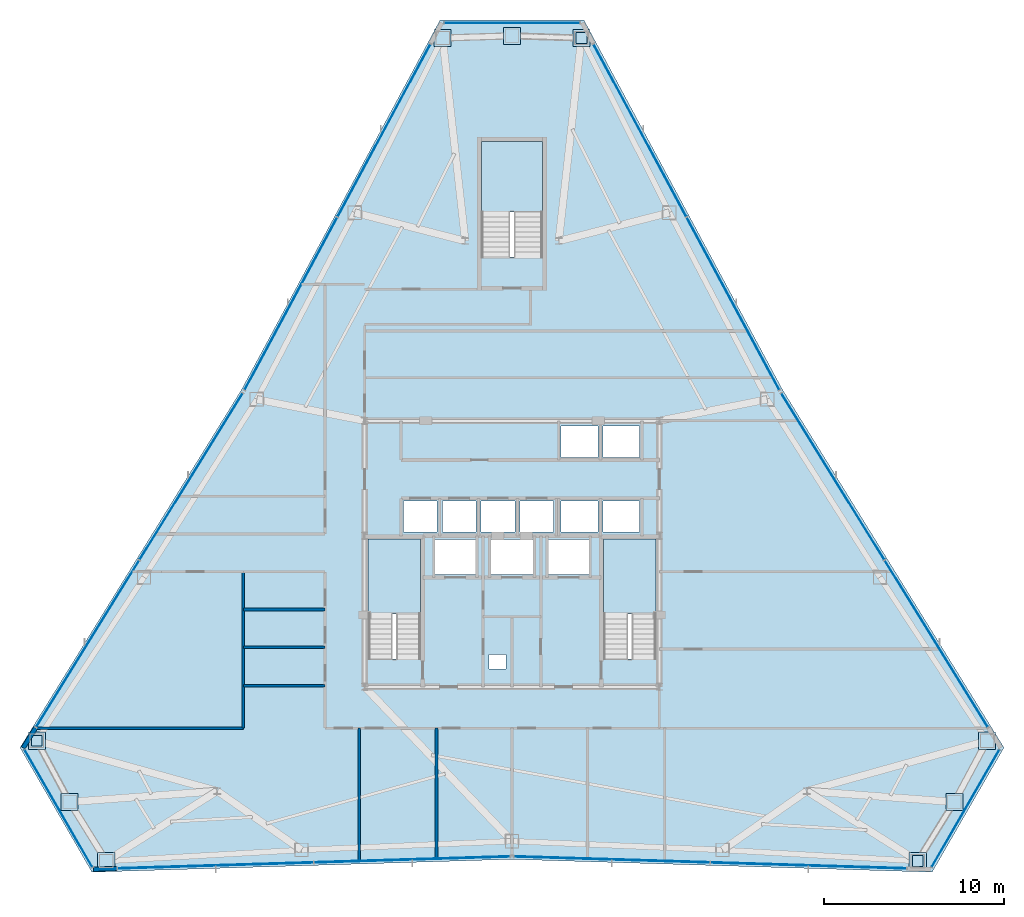
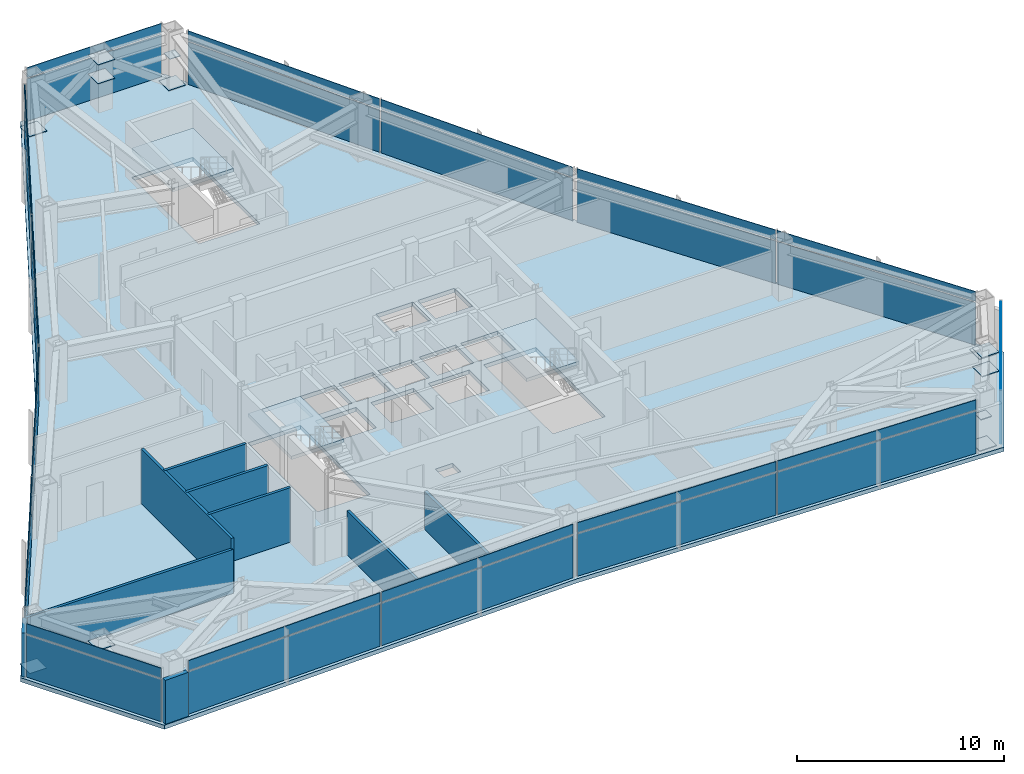
# One storey, part 9 of 13: 45 plates, 9 walls, 4 slabs, 12 elements without a shape of their own.
"""IFC4 building model written with IfcOpenShell, lengths in metres."""

from ifc_helpers import new_model, si_unit, direction, frame, frame_2d, origin, origin_2d, place, context, subcontext, project, spatial, polyline, rectangle, outline, extrude, source, transform, mapped, material, layer, layer_set, type_object, type_shapes, element, aggregate, save


model = new_model("IFC4")

# Units and contexts
model_context = context("Model", 3, precision=1e-05, world=origin(), true_north=direction((0.0, 1.0)))
body_context = subcontext(model_context, "Body", "Model", "MODEL_VIEW")
ifc_project = project(units=[si_unit("LENGTHUNIT", "METRE"), si_unit("AREAUNIT", "SQUARE_METRE"), si_unit("VOLUMEUNIT", "CUBIC_METRE"), si_unit("PLANEANGLEUNIT", "RADIAN"), si_unit("MASSUNIT", "GRAM", prefix="KILO")], contexts=[model_context])

# Site, building, storey
site_placement = place(None, origin())
site = spatial("IfcSite", under=ifc_project, at=site_placement, CompositionType="ELEMENT")
building_placement = place(site_placement, origin())
building = spatial("IfcBuilding", under=site, at=building_placement, Name="Varakhsha Concourse Tower", CompositionType="ELEMENT")
storey_placement = place(building_placement, frame((0.0, 0.0, 168.89990234375)))
storey = spatial("IfcBuildingStorey", under=building, at=storey_placement, Name="L48", CompositionType="ELEMENT", Elevation=168.89990234375)

# Slab
ifc_material_1 = material(Name="Concrete fc 45 MPa", Category="concrete")
ifc_layer_1 = layer(ifc_material_1, 0.239990234375, Name="SL-FLR-240")
ifc_layer_set_1 = layer_set([ifc_layer_1], Name="Concrete fc 45 MPa")
slab_type_1 = type_object("IfcSlabType", Name="SL-FLR-240", PredefinedType="FLOOR", material=ifc_layer_set_1)
slab_1_placement = place(storey_placement, frame((0.0, 0.0, -0.239990234375)))
element("IfcSlab", 1, at=slab_1_placement, inside=storey, type_object=slab_type_1, Name="L48 Composite Structural Slab", PredefinedType="FLOOR", context=body_context, shape_type="SweptSolid", body=[
    extrude(outline(polyline([(44.0, 53.49853515625), (36.0, 53.49853515625), (24.931396484375, 32.89990234375), (12.626708984375, 13.014892578125), (16.626708984375, 6.086669921875), (40.0, 6.80029296875), (63.373291015625, 6.086669921875), (67.373291015625, 13.014892578125), (55.068603515625, 32.89990234375), (44.0, 53.49853515625)]), holes=[polyline([(34.919921875, 17.93994140625), (34.919921875, 24.6298828125), (32.0, 24.6298828125), (32.0, 17.93994140625), (34.919921875, 17.93994140625)]), polyline([(48.02001953125, 17.93994140625), (48.02001953125, 24.6298828125), (45.10009765625, 24.6298828125), (45.10009765625, 17.93994140625), (48.02001953125, 17.93994140625)]), polyline([(41.699951171875, 40.300048828125), (41.699951171875, 46.75), (38.300048828125, 46.75), (38.300048828125, 40.300048828125), (41.699951171875, 40.300048828125)]), polyline([(33.9599609375, 25.0), (35.840087890625, 25.0), (35.840087890625, 26.739990234375), (33.9599609375, 26.739990234375), (33.9599609375, 25.0)]), polyline([(36.1201171875, 25.0), (38.0, 25.0), (38.0, 26.739990234375), (36.1201171875, 26.739990234375), (36.1201171875, 25.0)]), polyline([(38.280029296875, 25.0), (40.159912109375, 25.0), (40.159912109375, 26.739990234375), (38.280029296875, 26.739990234375), (38.280029296875, 25.0)]), polyline([(40.43994140625, 25.0), (42.320068359375, 25.0), (42.320068359375, 26.739990234375), (40.43994140625, 26.739990234375), (40.43994140625, 25.0)]), polyline([(42.739990234375, 29.159912109375), (44.780029296875, 29.159912109375), (44.780029296875, 30.89990234375), (42.739990234375, 30.89990234375), (42.739990234375, 29.159912109375)]), polyline([(45.06005859375, 29.159912109375), (47.10009765625, 29.159912109375), (47.10009765625, 30.89990234375), (45.06005859375, 30.89990234375), (45.06005859375, 29.159912109375)]), polyline([(42.739990234375, 25.0), (44.780029296875, 25.0), (44.780029296875, 26.739990234375), (42.739990234375, 26.739990234375), (42.739990234375, 25.0)]), polyline([(45.06005859375, 25.0), (47.10009765625, 25.0), (47.10009765625, 26.739990234375), (45.06005859375, 26.739990234375), (45.06005859375, 25.0)]), polyline([(35.7099609375, 22.639892578125), (37.989990234375, 22.639892578125), (37.989990234375, 24.60009765625), (35.7099609375, 24.60009765625), (35.7099609375, 22.639892578125)]), polyline([(42.010009765625, 22.639892578125), (44.2900390625, 22.639892578125), (44.2900390625, 24.60009765625), (42.010009765625, 24.60009765625), (42.010009765625, 22.639892578125)]), polyline([(38.81005859375, 22.639892578125), (41.18994140625, 22.639892578125), (41.18994140625, 24.60009765625), (38.81005859375, 24.60009765625), (38.81005859375, 22.639892578125)]), polyline([(38.719970703125, 17.39990234375), (39.679931640625, 17.39990234375), (39.679931640625, 18.199951171875), (38.719970703125, 18.199951171875), (38.719970703125, 17.39990234375)])]), origin(), (0.0, 0.0, 1.0), 0.239990234375),
])

# Stair, slab
stair_type_1 = type_object("IfcStairType", Name="ST-DOGLEG-1360", PredefinedType="HALF_TURN_STAIR", material=ifc_material_1)
stair_1_placement = place(storey_placement, origin())
stair_1 = element("IfcStair", 2, at=stair_1_placement, inside=storey, type_object=stair_type_1, Name="L48 Protected Exit Stair ST1", PredefinedType="HALF_TURN_STAIR")
ifc_layer_2 = layer(ifc_material_1, 0.199951171875, Name="SL-LAND-200")
ifc_layer_set_2 = layer_set([ifc_layer_2], Name="Concrete fc 45 MPa")
slab_type_2 = type_object("IfcSlabType", Name="SL-LAND-200", PredefinedType="LANDING", material=ifc_layer_set_2)
slab_2_placement = place(storey_placement, frame((0.0, 0.0, 1.525146484375)))
slab_2 = element("IfcSlab", 3, at=slab_2_placement, type_object=slab_type_2, Name="ST1 landing 1", PredefinedType="LANDING", context=body_context, shape_type="SweptSolid", body=[
    extrude(outline(polyline([(34.919921875, 20.4599609375), (34.919921875, 24.6298828125), (32.0, 24.6298828125), (32.0, 20.4599609375), (34.919921875, 20.4599609375)])), origin(), (0.0, 0.0, 1.0), 0.199951171875),
])
aggregate(stair_1, [slab_2])

stair_2_placement = place(storey_placement, origin())
stair_2 = element("IfcStair", 4, at=stair_2_placement, inside=storey, type_object=stair_type_1, Name="L48 Protected Exit Stair ST2", PredefinedType="HALF_TURN_STAIR")
slab_3_placement = place(storey_placement, frame((0.0, 0.0, 1.525146484375)))
slab_3 = element("IfcSlab", 5, at=slab_3_placement, type_object=slab_type_2, Name="ST2 landing 1", PredefinedType="LANDING", context=body_context, shape_type="SweptSolid", body=[
    extrude(outline(polyline([(48.02001953125, 20.4599609375), (48.02001953125, 24.6298828125), (45.10009765625, 24.6298828125), (45.10009765625, 20.4599609375), (48.02001953125, 20.4599609375)])), origin(), (0.0, 0.0, 1.0), 0.199951171875),
])
aggregate(stair_2, [slab_3])

stair_type_2 = type_object("IfcStairType", Name="ST-DOGLEG-1600", PredefinedType="HALF_TURN_STAIR", material=ifc_material_1)
stair_3_placement = place(storey_placement, origin())
stair_3 = element("IfcStair", 6, at=stair_3_placement, inside=storey, type_object=stair_type_2, Name="L48 Protected Exit Stair ST5", PredefinedType="HALF_TURN_STAIR")
slab_4_placement = place(storey_placement, frame((0.0, 0.0, 1.525146484375)))
slab_4 = element("IfcSlab", 7, at=slab_4_placement, type_object=slab_type_2, Name="ST5 landing 1", PredefinedType="LANDING", context=body_context, shape_type="SweptSolid", body=[
    extrude(outline(polyline([(41.699951171875, 42.820068359375), (41.699951171875, 46.75), (38.300048828125, 46.75), (38.300048828125, 42.820068359375), (41.699951171875, 42.820068359375)])), origin(), (0.0, 0.0, 1.0), 0.199951171875),
])
aggregate(stair_3, [slab_4])

# Plates
ifc_material_2 = material(Name="Structural Steel ASTM A572 Grade 50", Category="steel")
ifc_layer_3 = layer(ifc_material_2, 0.030029296875, Name="PL-ENDCAP-950")
ifc_layer_set_3 = layer_set([ifc_layer_3], Name="Structural Steel ASTM A572 Grade 50")
plate_type_1 = type_object("IfcPlateType", Name="PL-ENDCAP-950", PredefinedType="USERDEFINED", material=ifc_layer_set_3)
shared_shape_1 = source(origin(), body_context, "Body", "SweptSolid", [
    extrude(rectangle(XDim=0.949951171875, YDim=0.949951171875, at=origin_2d()), origin(), (0.0, 0.0, 1.0), 0.030029296875),
])
type_shapes(plate_type_1, [shared_shape_1])
for number, where, z_axis, x_axis, name in (
    (8, (43.863037109375, 52.495849609375, 0.10498046875), (0.0, 0.0, 1.0), (1.0, 0.0, 0.0), "Hollow Section End Cap GP-NODE-L48-0493"),
    (9, (40.0, 52.618408203125, 2.89501953125), (0.0, 0.0, 1.0), (1.0, 0.0, 0.0), "Hollow Section End Cap GP-NODE-L48-0494"),
    (10, (36.136962890625, 52.495849609375, 0.10498046875), (0.0, 0.0, 1.0), (1.0, 0.0, 0.0), "Hollow Section End Cap GP-NODE-L48-0495"),
    (11, (13.563720703125, 13.397705078125, 0.10498046875), (0.0, 0.0, 1.0), (1.0, 0.0, 0.0), "Hollow Section End Cap GP-NODE-L48-0496"),
    (12, (15.388916015625, 9.99072265625, 2.89501953125), (0.0, 0.0, 1.0), (1.0, 0.0, 0.0), "Hollow Section End Cap GP-NODE-L48-0497"),
    (13, (17.4267578125, 6.70654296875, 0.10498046875), (0.0, 0.0, 1.0), (1.0, 0.0, 0.0), "Hollow Section End Cap GP-NODE-L48-0498"),
    (14, (62.5732421875, 6.70654296875, 0.10498046875), (0.0, 0.0, 1.0), (1.0, 0.0, 0.0), "Hollow Section End Cap GP-NODE-L48-0499"),
    (15, (64.611083984375, 9.99072265625, 2.89501953125), (0.0, 0.0, 1.0), (1.0, 0.0, 0.0), "Hollow Section End Cap GP-NODE-L48-0500"),
    (16, (66.436279296875, 13.397705078125, 0.10498046875), (0.0, 0.0, 1.0), (1.0, 0.0, 0.0), "Hollow Section End Cap GP-NODE-L48-0501"),
    (17, (40.0, 52.618408203125, 1.78515625), (0.0, 0.0, 1.0), (1.0, 0.0, 0.0), "Hollow Section End Cap GP-NODE-L48-0502"),
    (18, (15.388916015625, 9.99072265625, 1.78515625), (0.0, 0.0, 1.0), (1.0, 0.0, 0.0), "Hollow Section End Cap GP-NODE-L48-0503"),
    (19, (64.611083984375, 9.99072265625, 1.78515625), (0.0, 0.0, 1.0), (1.0, 0.0, 0.0), "Hollow Section End Cap GP-NODE-L48-0504"),
):
    element("IfcPlate", number, at=place(storey_placement, frame(where, z_axis=z_axis, x_axis=x_axis)), inside=storey, type_object=plate_type_1, Name=name, ObjectType="END PLATE", PredefinedType="USERDEFINED", context=body_context, shape_type="MappedRepresentation", body=[
        mapped(shared_shape_1, transform((0.0, 0.0, 0.0), scale=1.0)),
    ])
ifc_layer_4 = layer(ifc_material_2, 0.030029296875, Name="PL-BASE-600")
ifc_layer_set_4 = layer_set([ifc_layer_4], Name="Structural Steel ASTM A572 Grade 50")
plate_type_2 = type_object("IfcPlateType", Name="PL-BASE-600", PredefinedType="SHEET", material=ifc_layer_set_4)
shared_shape_2 = source(origin(), body_context, "Body", "SweptSolid", [
    extrude(rectangle(XDim=0.60009765625, YDim=0.60009765625, at=origin_2d()), origin(), (0.0, 0.0, 1.0), 0.030029296875),
])
type_shapes(plate_type_2, [shared_shape_2])
for number, where, z_axis, x_axis, name in (
    (20, (43.863037109375, 52.495849609375, 1.78515625), (0.0, 0.0, 1.0), (1.0, 0.0, 0.0), "Hollow Section End Cap BP-WTIE-L48-1"),
    (21, (13.563720703125, 13.397705078125, 1.78515625), (0.0, 0.0, 1.0), (1.0, 0.0, 0.0), "Hollow Section End Cap BP-WTIE-L48-2"),
    (22, (62.5732421875, 6.70654296875, 1.78515625), (0.0, 0.0, 1.0), (1.0, 0.0, 0.0), "Hollow Section End Cap BP-WTIE-L48-3"),
):
    element("IfcPlate", number, at=place(storey_placement, frame(where, z_axis=z_axis, x_axis=x_axis)), inside=storey, type_object=plate_type_2, Name=name, PredefinedType="SHEET", context=body_context, shape_type="MappedRepresentation", body=[
        mapped(shared_shape_2, transform((0.0, 0.0, 0.0), scale=1.0)),
    ])

# Curtain wall, plates
ifc_material_3 = material(Name="Anodised Bronze Architectural Aluminium AA 6063-T6", Category="aluminium")
ifc_layer_5 = layer(ifc_material_3, 0.2099609375, Name="CW-SYS-04")
ifc_layer_set_5 = layer_set([ifc_layer_5], Name="Anodised Bronze Architectural Aluminium AA 6063-T6")
curtain_wall_type = type_object("IfcCurtainWallType", Name="CW-SYS-04", PredefinedType="NOTDEFINED", material=ifc_layer_set_5)
curtain_wall_1_placement = place(storey_placement, origin())
curtain_wall_1 = element("IfcCurtainWall", 23, at=curtain_wall_1_placement, inside=storey, type_object=curtain_wall_type, Name="L48 Crystal Curtain Wall F2", PredefinedType="NOTDEFINED")
ifc_material_4 = material(Name="Low-E Triple Insulating Glass IGU 44 mm", Category="glass")
ifc_layer_6 = layer(ifc_material_4, 0.0439453125, Name="CWP-IGU-44")
ifc_layer_set_6 = layer_set([ifc_layer_6], Name="Low-E Triple Insulating Glass IGU 44 mm")
plate_type_3 = type_object("IfcPlateType", Name="CWP-IGU-44", PredefinedType="CURTAIN_PANEL", material=ifc_layer_set_6)
shared_shape_3 = source(origin(), body_context, "Body", "SweptSolid", [
    extrude(rectangle(XDim=10.873046875, YDim=0.0439453125, at=origin_2d()), origin(), (0.0, 0.0, 1.0), 2.49609375),
])
type_shapes(plate_type_3, [shared_shape_3])
plate_1_placement = place(storey_placement, frame((27.69970703125, 37.7138671875, 0.031982421875), z_axis=(0.0, 0.0, 1.0), x_axis=(0.473336578986, 0.880881650958, 0.0)))
plate_1 = element("IfcPlate", 24, at=plate_1_placement, type_object=plate_type_3, Name="CW-L48-F2 Panel 00-00", PredefinedType="CURTAIN_PANEL", context=body_context, shape_type="MappedRepresentation", body=[
    mapped(shared_shape_3, transform((0.0, 0.0, 0.0), scale=1.0)),
])
plate_2_placement = place(storey_placement, frame((32.879150390625, 47.3525390625, 0.031982421875), z_axis=(0.0, 0.0, 1.0), x_axis=(0.473336578986, 0.880881650958, 0.0)))
plate_2 = element("IfcPlate", 25, at=plate_2_placement, type_object=plate_type_3, Name="CW-L48-F2 Panel 01-00", PredefinedType="CURTAIN_PANEL", context=body_context, shape_type="MappedRepresentation", body=[
    mapped(shared_shape_3, transform((0.0, 0.0, 0.0), scale=1.0)),
])

curtain_wall_2_placement = place(storey_placement, origin())
curtain_wall_2 = element("IfcCurtainWall", 26, at=curtain_wall_2_placement, inside=storey, type_object=curtain_wall_type, Name="L48 Crystal Curtain Wall F3", PredefinedType="NOTDEFINED")
plate_3_placement = place(storey_placement, frame((16.388916015625, 18.79052734375, 0.031982421875), z_axis=(0.0, 0.0, 1.0), x_axis=(0.526199082126, 0.850361409032, 0.0)))
plate_3 = element("IfcPlate", 27, at=plate_3_placement, type_object=plate_type_3, Name="CW-L48-F3 Panel 00-00", PredefinedType="CURTAIN_PANEL", context=body_context, shape_type="MappedRepresentation", body=[
    mapped(shared_shape_3, transform((0.0, 0.0, 0.0), scale=1.0)),
])
plate_4_placement = place(storey_placement, frame((22.146484375, 28.09521484375, 0.031982421875), z_axis=(0.0, 0.0, 1.0), x_axis=(0.526199082126, 0.850361409032, 0.0)))
plate_4 = element("IfcPlate", 28, at=plate_4_placement, type_object=plate_type_3, Name="CW-L48-F3 Panel 01-00", PredefinedType="CURTAIN_PANEL", context=body_context, shape_type="MappedRepresentation", body=[
    mapped(shared_shape_3, transform((0.0, 0.0, 0.0), scale=1.0)),
])

curtain_wall_3_placement = place(storey_placement, origin())
curtain_wall_3 = element("IfcCurtainWall", 29, at=curtain_wall_3_placement, inside=storey, type_object=curtain_wall_type, Name="L48 Crystal Curtain Wall F5", PredefinedType="NOTDEFINED")
plate_5_placement = place(storey_placement, frame((34.44677734375, 6.790771484375, 0.031982421875), z_axis=(0.0, 0.0, 1.0), x_axis=(-0.999534017137, -0.030524557085, 0.0)))
plate_5 = element("IfcPlate", 30, at=plate_5_placement, type_object=plate_type_3, Name="CW-L48-F5 Panel 00-00", PredefinedType="CURTAIN_PANEL", context=body_context, shape_type="MappedRepresentation", body=[
    mapped(shared_shape_3, transform((0.0, 0.0, 0.0), scale=1.0)),
])
plate_6_placement = place(storey_placement, frame((23.509765625, 6.456787109375, 0.031982421875), z_axis=(0.0, 0.0, 1.0), x_axis=(-0.999534017137, -0.030524557085, 0.0)))
plate_6 = element("IfcPlate", 31, at=plate_6_placement, type_object=plate_type_3, Name="CW-L48-F5 Panel 01-00", PredefinedType="CURTAIN_PANEL", context=body_context, shape_type="MappedRepresentation", body=[
    mapped(shared_shape_3, transform((0.0, 0.0, 0.0), scale=1.0)),
])

curtain_wall_4_placement = place(storey_placement, origin())
curtain_wall_4 = element("IfcCurtainWall", 32, at=curtain_wall_4_placement, inside=storey, type_object=curtain_wall_type, Name="L48 Crystal Curtain Wall F6", PredefinedType="NOTDEFINED")
plate_7_placement = place(storey_placement, frame((56.490234375, 6.456787109375, 0.031982421875), z_axis=(0.0, 0.0, 1.0), x_axis=(-0.999534017137, 0.030524557085, 0.0)))
plate_7 = element("IfcPlate", 33, at=plate_7_placement, type_object=plate_type_3, Name="CW-L48-F6 Panel 00-00", PredefinedType="CURTAIN_PANEL", context=body_context, shape_type="MappedRepresentation", body=[
    mapped(shared_shape_3, transform((0.0, 0.0, 0.0), scale=1.0)),
])
plate_8_placement = place(storey_placement, frame((45.55322265625, 6.790771484375, 0.031982421875), z_axis=(0.0, 0.0, 1.0), x_axis=(-0.999534017137, 0.030524557085, 0.0)))
plate_8 = element("IfcPlate", 34, at=plate_8_placement, type_object=plate_type_3, Name="CW-L48-F6 Panel 01-00", PredefinedType="CURTAIN_PANEL", context=body_context, shape_type="MappedRepresentation", body=[
    mapped(shared_shape_3, transform((0.0, 0.0, 0.0), scale=1.0)),
])

curtain_wall_5_placement = place(storey_placement, origin())
curtain_wall_5 = element("IfcCurtainWall", 35, at=curtain_wall_5_placement, inside=storey, type_object=curtain_wall_type, Name="L48 Crystal Curtain Wall F8", PredefinedType="NOTDEFINED")
plate_9_placement = place(storey_placement, frame((57.853515625, 28.09521484375, 0.031982421875), z_axis=(0.0, 0.0, 1.0), x_axis=(0.526199082126, -0.850361409032, 0.0)))
plate_9 = element("IfcPlate", 36, at=plate_9_placement, type_object=plate_type_3, Name="CW-L48-F8 Panel 00-00", PredefinedType="CURTAIN_PANEL", context=body_context, shape_type="MappedRepresentation", body=[
    mapped(shared_shape_3, transform((0.0, 0.0, 0.0), scale=1.0)),
])
plate_10_placement = place(storey_placement, frame((63.611083984375, 18.79052734375, 0.031982421875), z_axis=(0.0, 0.0, 1.0), x_axis=(0.526199082126, -0.850361409032, 0.0)))
plate_10 = element("IfcPlate", 37, at=plate_10_placement, type_object=plate_type_3, Name="CW-L48-F8 Panel 01-00", PredefinedType="CURTAIN_PANEL", context=body_context, shape_type="MappedRepresentation", body=[
    mapped(shared_shape_3, transform((0.0, 0.0, 0.0), scale=1.0)),
])

curtain_wall_6_placement = place(storey_placement, origin())
curtain_wall_6 = element("IfcCurtainWall", 38, at=curtain_wall_6_placement, inside=storey, type_object=curtain_wall_type, Name="L48 Crystal Curtain Wall F9", PredefinedType="NOTDEFINED")
plate_11_placement = place(storey_placement, frame((47.120849609375, 47.3525390625, 0.031982421875), z_axis=(0.0, 0.0, 1.0), x_axis=(0.473336578986, -0.880881650958, 0.0)))
plate_11 = element("IfcPlate", 39, at=plate_11_placement, type_object=plate_type_3, Name="CW-L48-F9 Panel 00-00", PredefinedType="CURTAIN_PANEL", context=body_context, shape_type="MappedRepresentation", body=[
    mapped(shared_shape_3, transform((0.0, 0.0, 0.0), scale=1.0)),
])
plate_12_placement = place(storey_placement, frame((52.300048828125, 37.7138671875, 0.031982421875), z_axis=(0.0, 0.0, 1.0), x_axis=(0.473336578986, -0.880881650958, 0.0)))
plate_12 = element("IfcPlate", 40, at=plate_12_placement, type_object=plate_type_3, Name="CW-L48-F9 Panel 01-00", PredefinedType="CURTAIN_PANEL", context=body_context, shape_type="MappedRepresentation", body=[
    mapped(shared_shape_3, transform((0.0, 0.0, 0.0), scale=1.0)),
])

# Plate
ifc_material_5 = material(Name="Insulated Anodised Bronze Aluminium Spandrel 36 mm", Category="aluminium")
ifc_layer_7 = layer(ifc_material_5, 0.035888671875, Name="CWP-SPN-36")
ifc_layer_set_7 = layer_set([ifc_layer_7], Name="Insulated Anodised Bronze Aluminium Spandrel 36 mm")
plate_type_4 = type_object("IfcPlateType", Name="CWP-SPN-36", PredefinedType="USERDEFINED", material=ifc_layer_set_7)
shared_shape_4 = source(origin(), body_context, "Body", "SweptSolid", [
    extrude(rectangle(XDim=10.873046875, YDim=0.035888671875, at=origin_2d()), origin(), (0.0, 0.0, 1.0), 0.5859375),
])
plate_13_placement = place(storey_placement, frame((27.69970703125, 37.7138671875, 2.592041015625), z_axis=(0.0, 0.0, 1.0), x_axis=(0.473336578986, 0.880881650958, 0.0)))
plate_13 = element("IfcPlate", 41, at=plate_13_placement, type_object=plate_type_4, Name="CW-L48-F2 Panel 00-01", ObjectType="SPANDREL", PredefinedType="USERDEFINED", context=body_context, shape_type="MappedRepresentation", body=[
    mapped(shared_shape_4, transform((0.0, 0.0, 0.0), scale=1.0)),
])

plate_14_placement = place(storey_placement, frame((32.879150390625, 47.3525390625, 2.592041015625), z_axis=(0.0, 0.0, 1.0), x_axis=(0.473336578986, 0.880881650958, 0.0)))
plate_14 = element("IfcPlate", 42, at=plate_14_placement, type_object=plate_type_4, Name="CW-L48-F2 Panel 01-01", ObjectType="SPANDREL", PredefinedType="USERDEFINED", context=body_context, shape_type="MappedRepresentation", body=[
    mapped(shared_shape_4, transform((0.0, 0.0, 0.0), scale=1.0)),
])

aggregate(curtain_wall_1, [plate_1, plate_13, plate_2, plate_14])

plate_15_placement = place(storey_placement, frame((16.388916015625, 18.79052734375, 2.592041015625), z_axis=(0.0, 0.0, 1.0), x_axis=(0.526199082126, 0.850361409032, 0.0)))
plate_15 = element("IfcPlate", 43, at=plate_15_placement, type_object=plate_type_4, Name="CW-L48-F3 Panel 00-01", ObjectType="SPANDREL", PredefinedType="USERDEFINED", context=body_context, shape_type="MappedRepresentation", body=[
    mapped(shared_shape_4, transform((0.0, 0.0, 0.0), scale=1.0)),
])

plate_16_placement = place(storey_placement, frame((22.146484375, 28.09521484375, 2.592041015625), z_axis=(0.0, 0.0, 1.0), x_axis=(0.526199082126, 0.850361409032, 0.0)))
plate_16 = element("IfcPlate", 44, at=plate_16_placement, type_object=plate_type_4, Name="CW-L48-F3 Panel 01-01", ObjectType="SPANDREL", PredefinedType="USERDEFINED", context=body_context, shape_type="MappedRepresentation", body=[
    mapped(shared_shape_4, transform((0.0, 0.0, 0.0), scale=1.0)),
])

aggregate(curtain_wall_2, [plate_3, plate_15, plate_4, plate_16])

plate_17_placement = place(storey_placement, frame((34.44677734375, 6.790771484375, 2.592041015625), z_axis=(0.0, 0.0, 1.0), x_axis=(-0.999534017137, -0.030524557085, 0.0)))
plate_17 = element("IfcPlate", 45, at=plate_17_placement, type_object=plate_type_4, Name="CW-L48-F5 Panel 00-01", ObjectType="SPANDREL", PredefinedType="USERDEFINED", context=body_context, shape_type="MappedRepresentation", body=[
    mapped(shared_shape_4, transform((0.0, 0.0, 0.0), scale=1.0)),
])

plate_18_placement = place(storey_placement, frame((23.509765625, 6.456787109375, 2.592041015625), z_axis=(0.0, 0.0, 1.0), x_axis=(-0.999534017137, -0.030524557085, 0.0)))
plate_18 = element("IfcPlate", 46, at=plate_18_placement, type_object=plate_type_4, Name="CW-L48-F5 Panel 01-01", ObjectType="SPANDREL", PredefinedType="USERDEFINED", context=body_context, shape_type="MappedRepresentation", body=[
    mapped(shared_shape_4, transform((0.0, 0.0, 0.0), scale=1.0)),
])

aggregate(curtain_wall_3, [plate_5, plate_17, plate_6, plate_18])

plate_19_placement = place(storey_placement, frame((56.490234375, 6.456787109375, 2.592041015625), z_axis=(0.0, 0.0, 1.0), x_axis=(-0.999534017137, 0.030524557085, 0.0)))
plate_19 = element("IfcPlate", 47, at=plate_19_placement, type_object=plate_type_4, Name="CW-L48-F6 Panel 00-01", ObjectType="SPANDREL", PredefinedType="USERDEFINED", context=body_context, shape_type="MappedRepresentation", body=[
    mapped(shared_shape_4, transform((0.0, 0.0, 0.0), scale=1.0)),
])

plate_20_placement = place(storey_placement, frame((45.55322265625, 6.790771484375, 2.592041015625), z_axis=(0.0, 0.0, 1.0), x_axis=(-0.999534017137, 0.030524557085, 0.0)))
plate_20 = element("IfcPlate", 48, at=plate_20_placement, type_object=plate_type_4, Name="CW-L48-F6 Panel 01-01", ObjectType="SPANDREL", PredefinedType="USERDEFINED", context=body_context, shape_type="MappedRepresentation", body=[
    mapped(shared_shape_4, transform((0.0, 0.0, 0.0), scale=1.0)),
])

aggregate(curtain_wall_4, [plate_7, plate_19, plate_8, plate_20])

plate_21_placement = place(storey_placement, frame((57.853515625, 28.09521484375, 2.592041015625), z_axis=(0.0, 0.0, 1.0), x_axis=(0.526199082126, -0.850361409032, 0.0)))
plate_21 = element("IfcPlate", 49, at=plate_21_placement, type_object=plate_type_4, Name="CW-L48-F8 Panel 00-01", ObjectType="SPANDREL", PredefinedType="USERDEFINED", context=body_context, shape_type="MappedRepresentation", body=[
    mapped(shared_shape_4, transform((0.0, 0.0, 0.0), scale=1.0)),
])

plate_22_placement = place(storey_placement, frame((63.611083984375, 18.79052734375, 2.592041015625), z_axis=(0.0, 0.0, 1.0), x_axis=(0.526199082126, -0.850361409032, 0.0)))
plate_22 = element("IfcPlate", 50, at=plate_22_placement, type_object=plate_type_4, Name="CW-L48-F8 Panel 01-01", ObjectType="SPANDREL", PredefinedType="USERDEFINED", context=body_context, shape_type="MappedRepresentation", body=[
    mapped(shared_shape_4, transform((0.0, 0.0, 0.0), scale=1.0)),
])

aggregate(curtain_wall_5, [plate_9, plate_21, plate_10, plate_22])

plate_23_placement = place(storey_placement, frame((47.120849609375, 47.3525390625, 2.592041015625), z_axis=(0.0, 0.0, 1.0), x_axis=(0.473336578986, -0.880881650958, 0.0)))
plate_23 = element("IfcPlate", 51, at=plate_23_placement, type_object=plate_type_4, Name="CW-L48-F9 Panel 00-01", ObjectType="SPANDREL", PredefinedType="USERDEFINED", context=body_context, shape_type="MappedRepresentation", body=[
    mapped(shared_shape_4, transform((0.0, 0.0, 0.0), scale=1.0)),
])

plate_24_placement = place(storey_placement, frame((52.300048828125, 37.7138671875, 2.592041015625), z_axis=(0.0, 0.0, 1.0), x_axis=(0.473336578986, -0.880881650958, 0.0)))
plate_24 = element("IfcPlate", 52, at=plate_24_placement, type_object=plate_type_4, Name="CW-L48-F9 Panel 01-01", ObjectType="SPANDREL", PredefinedType="USERDEFINED", context=body_context, shape_type="MappedRepresentation", body=[
    mapped(shared_shape_4, transform((0.0, 0.0, 0.0), scale=1.0)),
])

aggregate(curtain_wall_6, [plate_11, plate_23, plate_12, plate_24])

# Curtain wall, plates
curtain_wall_7_placement = place(storey_placement, origin())
curtain_wall_7 = element("IfcCurtainWall", 53, at=curtain_wall_7_placement, inside=storey, type_object=curtain_wall_type, Name="L48 Chamfer Curtain Wall F1", PredefinedType="NOTDEFINED")
shared_shape_5 = source(origin(), body_context, "Body", "SweptSolid", [
    extrude(rectangle(XDim=7.490966796875, YDim=0.035888671875, at=origin_2d()), origin(), (0.0, 0.0, 1.0), 2.49609375),
])
plate_25_placement = place(storey_placement, frame((40.0, 53.33837890625, 0.031982421875), z_axis=(0.0, 0.0, 1.0), x_axis=(1.0, 0.0, 0.0)))
plate_25 = element("IfcPlate", 54, at=plate_25_placement, type_object=plate_type_4, Name="CW-L48-F1 Panel 00-00", ObjectType="SPANDREL", PredefinedType="USERDEFINED", context=body_context, shape_type="MappedRepresentation", body=[
    mapped(shared_shape_5, transform((0.0, 0.0, 0.0), scale=1.0)),
])
shared_shape_6 = source(origin(), body_context, "Body", "SweptSolid", [
    extrude(rectangle(XDim=7.490966796875, YDim=0.035888671875, at=origin_2d()), origin(), (0.0, 0.0, 1.0), 0.5859375),
])
plate_26_placement = place(storey_placement, frame((40.0, 53.33837890625, 2.592041015625), z_axis=(0.0, 0.0, 1.0), x_axis=(1.0, 0.0, 0.0)))
plate_26 = element("IfcPlate", 55, at=plate_26_placement, type_object=plate_type_4, Name="CW-L48-F1 Panel 00-01", ObjectType="SPANDREL", PredefinedType="USERDEFINED", context=body_context, shape_type="MappedRepresentation", body=[
    mapped(shared_shape_6, transform((0.0, 0.0, 0.0), scale=1.0)),
])
aggregate(curtain_wall_7, [plate_25, plate_26])

# Curtain wall, plate
curtain_wall_8_placement = place(storey_placement, origin())
curtain_wall_8 = element("IfcCurtainWall", 56, at=curtain_wall_8_placement, inside=storey, type_object=curtain_wall_type, Name="L48 Chamfer Curtain Wall F4", PredefinedType="NOTDEFINED")
shared_shape_7 = source(origin(), body_context, "Body", "SweptSolid", [
    extrude(rectangle(XDim=7.4912109375, YDim=0.035888671875, at=origin_2d()), origin(), (0.0, 0.0, 1.0), 2.49609375),
])
plate_27_placement = place(storey_placement, frame((14.765380859375, 9.630859375, 0.031982421875), z_axis=(0.0, 0.0, 1.0), x_axis=(-0.499990930976, 0.866030639725, 0.0)))
plate_27 = element("IfcPlate", 57, at=plate_27_placement, type_object=plate_type_4, Name="CW-L48-F4 Panel 00-00", ObjectType="SPANDREL", PredefinedType="USERDEFINED", context=body_context, shape_type="MappedRepresentation", body=[
    mapped(shared_shape_7, transform((0.0, 0.0, 0.0), scale=1.0)),
])

curtain_wall_9_placement = place(storey_placement, origin())
curtain_wall_9 = element("IfcCurtainWall", 58, at=curtain_wall_9_placement, inside=storey, type_object=curtain_wall_type, Name="L48 Chamfer Curtain Wall F7", PredefinedType="NOTDEFINED")
plate_28_placement = place(storey_placement, frame((65.234619140625, 9.630859375, 0.031982421875), z_axis=(0.0, 0.0, 1.0), x_axis=(-0.499990930976, -0.866030639725, 0.0)))
plate_28 = element("IfcPlate", 59, at=plate_28_placement, type_object=plate_type_4, Name="CW-L48-F7 Panel 00-00", ObjectType="SPANDREL", PredefinedType="USERDEFINED", context=body_context, shape_type="MappedRepresentation", body=[
    mapped(shared_shape_7, transform((0.0, 0.0, 0.0), scale=1.0)),
])

# Plate
shared_shape_8 = source(origin(), body_context, "Body", "SweptSolid", [
    extrude(rectangle(XDim=7.4912109375, YDim=0.035888671875, at=origin_2d()), origin(), (0.0, 0.0, 1.0), 0.5859375),
])
type_shapes(plate_type_4, [shared_shape_4, shared_shape_5, shared_shape_6, shared_shape_7, shared_shape_8])
plate_29_placement = place(storey_placement, frame((14.765380859375, 9.630859375, 2.592041015625), z_axis=(0.0, 0.0, 1.0), x_axis=(-0.499990930976, 0.866030639725, 0.0)))
plate_29 = element("IfcPlate", 60, at=plate_29_placement, type_object=plate_type_4, Name="CW-L48-F4 Panel 00-01", ObjectType="SPANDREL", PredefinedType="USERDEFINED", context=body_context, shape_type="MappedRepresentation", body=[
    mapped(shared_shape_8, transform((0.0, 0.0, 0.0), scale=1.0)),
])

aggregate(curtain_wall_8, [plate_27, plate_29])

plate_30_placement = place(storey_placement, frame((65.234619140625, 9.630859375, 2.592041015625), z_axis=(0.0, 0.0, 1.0), x_axis=(-0.499990930976, -0.866030639725, 0.0)))
plate_30 = element("IfcPlate", 61, at=plate_30_placement, type_object=plate_type_4, Name="CW-L48-F7 Panel 00-01", ObjectType="SPANDREL", PredefinedType="USERDEFINED", context=body_context, shape_type="MappedRepresentation", body=[
    mapped(shared_shape_8, transform((0.0, 0.0, 0.0), scale=1.0)),
])

aggregate(curtain_wall_9, [plate_28, plate_30])

# Walls
ifc_layer_8 = layer(ifc_material_1, 0.239990234375, Name="WL-EXT-CRN-240")
ifc_layer_set_8 = layer_set([ifc_layer_8], Name="Concrete fc 45 MPa")
wall_type_1 = type_object("IfcWallType", Name="WL-EXT-CRN-240", PredefinedType="SHEAR", material=ifc_layer_set_8)
wall_1_placement = place(storey_placement, frame((13.492919921875, 14.110595703125, 0.0), z_axis=(0.0, 0.0, 1.0), x_axis=(-0.526225760999, -0.850344899709, 0.0)))
element("IfcWall", 62, at=wall_1_placement, inside=storey, type_object=wall_type_1, Name="L48 Wind-Corner Shoulder Wall F3", PredefinedType="SHEAR", context=body_context, shape_type="SweptSolid", body=[
    extrude(rectangle(XDim=1.3046875, YDim=0.239990234375, at=frame_2d((0.65234375, 0.0))), origin(), (0.0, 0.0, 1.0), 2.5830078125),
])
wall_2_placement = place(storey_placement, frame((16.704833984375, 6.2490234375, 0.0), z_axis=(0.0, 0.0, 1.0), x_axis=(0.999534631681, 0.030504427067, 0.0)))
element("IfcWall", 63, at=wall_2_placement, inside=storey, type_object=wall_type_1, Name="L48 Wind-Corner Shoulder Wall F5", PredefinedType="SHEAR", context=body_context, shape_type="SweptSolid", body=[
    extrude(rectangle(XDim=1.304443359375, YDim=0.239990234375, at=frame_2d((0.65234375, 0.0))), origin(), (0.0, 0.0, 1.0), 2.5830078125),
])
ifc_material_6 = material(Name="Fire-Rated Type X Gypsum Partition Assembly", Category="gypsum")
ifc_layer_9 = layer(ifc_material_6, 0.14990234375, Name="WL-PART-150")
ifc_layer_set_9 = layer_set([ifc_layer_9], Name="Fire-Rated Type X Gypsum Partition Assembly")
wall_type_2 = type_object("IfcWallType", Name="WL-PART-150", PredefinedType="PARTITIONING", material=ifc_layer_set_9)
wall_3_placement = place(storey_placement, frame((25.050048828125, 14.10009765625, 0.0), z_axis=(0.0, 0.0, 1.0), x_axis=(0.0, 1.0, 0.0)))
element("IfcWall", 64, at=wall_3_placement, inside=storey, type_object=wall_type_2, Name="L48 Wall C2WC-W-L48", PredefinedType="PARTITIONING", context=body_context, shape_type="SweptSolid", body=[
    extrude(rectangle(XDim=8.699951171875, YDim=0.14990234375, at=frame_2d((4.35009765625, 0.0))), origin(), (0.0, 0.0, 1.0), 3.210205078125),
])
for number, where, z_axis, x_axis, name in (
    (65, (25.050048828125, 16.449951171875, 0.0), (0.0, 0.0, 1.0), (1.0, 0.0, 0.0), "L48 Wall C2WC-S-L48"),
    (66, (25.050048828125, 18.60009765625, 0.0), (0.0, 0.0, 1.0), (1.0, 0.0, 0.0), "L48 Wall C2WC-D1-L48"),
    (67, (25.050048828125, 20.699951171875, 0.0), (0.0, 0.0, 1.0), (1.0, 0.0, 0.0), "L48 Wall C2WC-D2-L48"),
):
    element("IfcWall", number, at=place(storey_placement, frame(where, z_axis=z_axis, x_axis=x_axis)), inside=storey, type_object=wall_type_2, Name=name, PredefinedType="PARTITIONING", context=body_context, shape_type="SweptSolid", body=[
        extrude(rectangle(XDim=4.550048828125, YDim=0.14990234375, at=frame_2d((2.27490234375, 0.0))), origin(), (0.0, 0.0, 1.0), 3.210205078125),
    ])
wall_4_placement = place(storey_placement, frame((31.5, 6.705810546875, 0.0), z_axis=(0.0, 0.0, 1.0), x_axis=(0.0, 1.0, 0.0)))
element("IfcWall", 68, at=wall_4_placement, inside=storey, type_object=wall_type_2, Name="L48 Wall ODIV-S1-L48", PredefinedType="PARTITIONING", context=body_context, shape_type="SweptSolid", body=[
    extrude(rectangle(XDim=7.394287109375, YDim=0.14990234375, at=frame_2d((3.697265625, 0.0))), origin(), (0.0, 0.0, 1.0), 2.589111328125),
])
wall_5_placement = place(storey_placement, frame((35.800048828125, 6.837158203125, 0.0), z_axis=(0.0, 0.0, 1.0), x_axis=(0.0, 1.0, 0.0)))
element("IfcWall", 69, at=wall_5_placement, inside=storey, type_object=wall_type_2, Name="L48 Wall ODIV-S2-L48", PredefinedType="PARTITIONING", context=body_context, shape_type="SweptSolid", body=[
    extrude(rectangle(XDim=7.262939453125, YDim=0.14990234375, at=frame_2d((3.63134765625, 0.0))), origin(), (0.0, 0.0, 1.0), 2.22509765625),
])
wall_6_placement = place(storey_placement, frame((13.4921875, 14.10009765625, 0.0), z_axis=(0.0, 0.0, 1.0), x_axis=(1.0, 0.0, 0.0)))
element("IfcWall", 70, at=wall_6_placement, inside=storey, type_object=wall_type_2, Name="L48 Wall ODIV-SWB-L48", PredefinedType="PARTITIONING", context=body_context, shape_type="SweptSolid", body=[
    extrude(rectangle(XDim=11.557861328125, YDim=0.14990234375, at=frame_2d((5.77880859375, 0.0))), origin(), (0.0, 0.0, 1.0), 2.589111328125),
])

save(model, "model.ifc")
